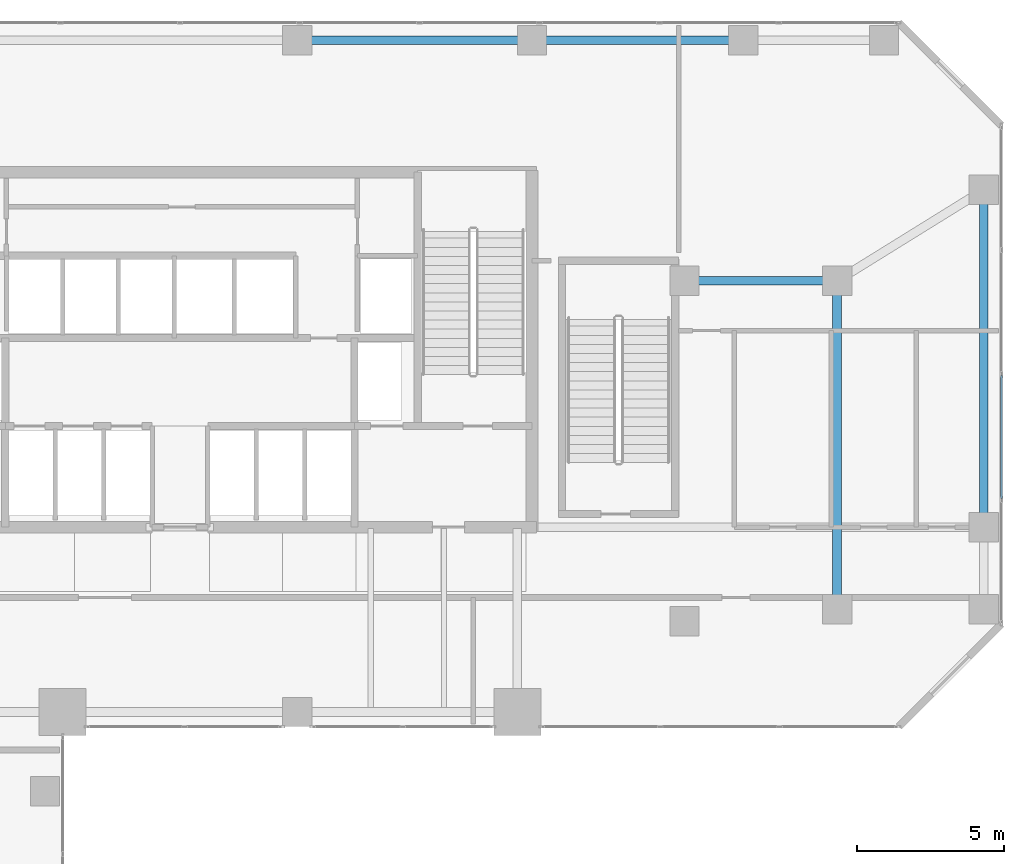
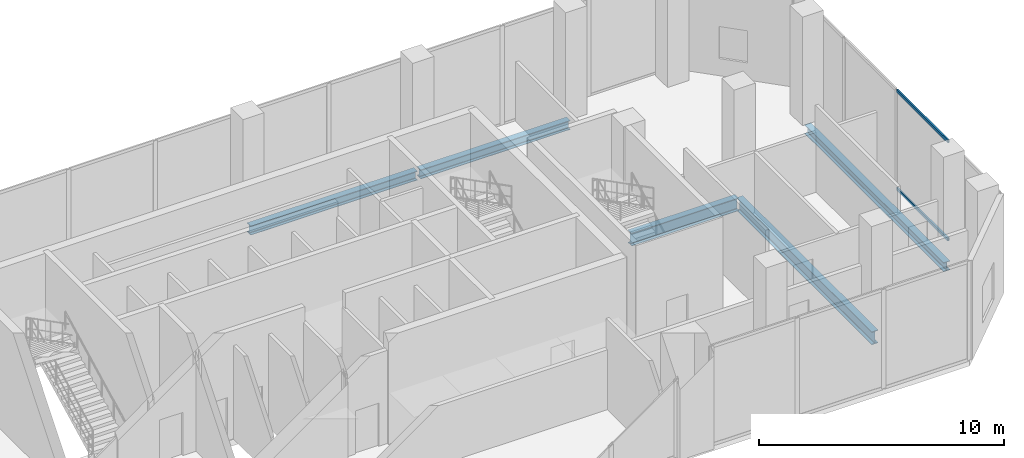
# One storey, part 16 of 24: 5 beams, 2 members, 1 element without a shape of its own.
"""IFC4 building model written with IfcOpenShell, lengths in metres."""

from ifc_helpers import new_model, si_unit, direction, frame, origin, origin_2d, place, context, subcontext, project, spatial, hollow_rectangle, i_section, extrude, material, layer, layer_set, material_profile, profile_set, type_object, element, aggregate, save


model = new_model("IFC4")

# Units and contexts
model_context = context("Model", 3, precision=1e-05, world=origin(), true_north=direction((0.0, 1.0)))
body_context = subcontext(model_context, "Body", "Model", "MODEL_VIEW")
ifc_project = project(units=[si_unit("LENGTHUNIT", "METRE"), si_unit("AREAUNIT", "SQUARE_METRE"), si_unit("VOLUMEUNIT", "CUBIC_METRE"), si_unit("PLANEANGLEUNIT", "RADIAN"), si_unit("MASSUNIT", "GRAM", prefix="KILO")], contexts=[model_context])

# Site, building, storey
site_placement = place(None, origin())
site = spatial("IfcSite", under=ifc_project, at=site_placement, CompositionType="ELEMENT")
building_placement = place(site_placement, origin())
building = spatial("IfcBuilding", under=site, at=building_placement, Name="Catumbela Crestline Tower", CompositionType="ELEMENT")
storey_placement = place(building_placement, frame((0.0, 0.0, 15.9)))
storey = spatial("IfcBuildingStorey", under=building, at=storey_placement, Name="L03", CompositionType="ELEMENT", Elevation=15.9)

# Beams
ifc_material_1 = material(Name="Structural steel S355J2", Category="steel")
ifc_material_profile_1 = material_profile(ifc_material_1, i_section(OverallWidth=0.3, OverallDepth=0.64, WebThickness=0.0135, FlangeThickness=0.026, FilletRadius=0.027, at=origin_2d()), Name="HEA 650")
ifc_profile_set_1 = profile_set([ifc_material_profile_1], Name="Structural steel S355J2")
beam_type_1 = type_object("IfcBeamType", Name="BG-HEA650", PredefinedType="BEAM", material=ifc_profile_set_1)
beam_1_placement = place(storey_placement, frame((45.28, 39.2, -0.64), z_axis=(1.0, 0.0, 0.0), x_axis=(0.0, 1.0, 0.0)))
element("IfcBeam", 1, at=beam_1_placement, inside=storey, type_object=beam_type_1, Name="L03 Beam BM-L03-N15", PredefinedType="BEAM", context=body_context, shape_type="SweptSolid", body=[
    extrude(i_section(OverallWidth=0.3, OverallDepth=0.64, WebThickness=0.0135, FlangeThickness=0.026, FilletRadius=0.027, at=origin_2d()), origin(), (0.0, 0.0, 1.0), 5.04),
])
beam_2_placement = place(storey_placement, frame((50.4, 28.08, -0.64), z_axis=(0.0, 1.0, 0.0), x_axis=(-1.0, 0.0, 0.0)))
element("IfcBeam", 2, at=beam_2_placement, inside=storey, type_object=beam_type_1, Name="L03 Beam BM-L03-SN34", PredefinedType="BEAM", context=body_context, shape_type="SweptSolid", body=[
    extrude(i_section(OverallWidth=0.3, OverallDepth=0.64, WebThickness=0.0135, FlangeThickness=0.026, FilletRadius=0.027, at=origin_2d()), origin(), (0.0, 0.0, 1.0), 11.04),
])
ifc_material_profile_2 = material_profile(ifc_material_1, i_section(OverallWidth=0.3, OverallDepth=0.45, WebThickness=0.014, FlangeThickness=0.026, FilletRadius=0.027, at=origin_2d()), Name="HEB 450")
ifc_profile_set_2 = profile_set([ifc_material_profile_2], Name="Structural steel S355J2")
beam_type_2 = type_object("IfcBeamType", Name="BS-HEB450", PredefinedType="SPANDREL", material=ifc_profile_set_2)
beam_3_placement = place(storey_placement, frame((32.08, 47.4, -0.545), z_axis=(1.0, 0.0, 0.0), x_axis=(0.0, 1.0, 0.0)))
element("IfcBeam", 3, at=beam_3_placement, inside=storey, type_object=beam_type_2, Name="L03 Spandrel SP-L03-NF20", PredefinedType="SPANDREL", context=body_context, shape_type="SweptSolid", body=[
    extrude(i_section(OverallWidth=0.3, OverallDepth=0.45, WebThickness=0.014, FlangeThickness=0.026, FilletRadius=0.027, at=origin_2d()), origin(), (0.0, 0.0, 1.0), 7.84),
])
beam_4_placement = place(storey_placement, frame((40.08, 47.4, -0.545), z_axis=(1.0, 0.0, 0.0), x_axis=(0.0, 1.0, 0.0)))
element("IfcBeam", 4, at=beam_4_placement, inside=storey, type_object=beam_type_2, Name="L03 Spandrel SP-L03-NF21", PredefinedType="SPANDREL", context=body_context, shape_type="SweptSolid", body=[
    extrude(i_section(OverallWidth=0.3, OverallDepth=0.45, WebThickness=0.014, FlangeThickness=0.026, FilletRadius=0.027, at=origin_2d()), origin(), (0.0, 0.0, 1.0), 7.04),
])
beam_5_placement = place(storey_placement, frame((55.4, 30.88, -0.545), z_axis=(0.0, 1.0, 0.0), x_axis=(-1.0, 0.0, 0.0)))
element("IfcBeam", 5, at=beam_5_placement, inside=storey, type_object=beam_type_2, Name="L03 Spandrel SP-L03-SN36", PredefinedType="SPANDREL", context=body_context, shape_type="SweptSolid", body=[
    extrude(i_section(OverallWidth=0.3, OverallDepth=0.45, WebThickness=0.014, FlangeThickness=0.026, FilletRadius=0.027, at=origin_2d()), origin(), (0.0, 0.0, 1.0), 11.34),
])

# Curtain wall, members
ifc_material_2 = material(Name="Aluminium alloy AW-6060-T66", Category="aluminium")
ifc_layer = layer(ifc_material_2, 0.18, Name="Aluminium alloy AW-6060-T66")
ifc_layer_set = layer_set([ifc_layer], Name="Aluminium alloy AW-6060-T66")
curtain_wall_type = type_object("IfcCurtainWallType", Name="CWS-POD", PredefinedType="USERDEFINED", material=ifc_layer_set)
curtain_wall_placement = place(storey_placement, origin())
curtain_wall = element("IfcCurtainWall", 6, at=curtain_wall_placement, inside=storey, type_object=curtain_wall_type, Name="L03 Stick Curtain Wall CW-L03-E5S1", ObjectType="STICK", PredefinedType="USERDEFINED")
ifc_material_profile_3 = material_profile(ifc_material_2, hollow_rectangle(XDim=0.075, YDim=0.15, WallThickness=0.0045, at=origin_2d()), Name="ALU 150x75x4.5")
ifc_profile_set_3 = profile_set([ifc_material_profile_3], Name="Aluminium alloy AW-6060-T66")
member_type = type_object("IfcMemberType", Name="TRN-150X75", PredefinedType="USERDEFINED", material=ifc_profile_set_3)
member_1_placement = place(storey_placement, frame((56.0, 31.7825, 0.03), z_axis=(0.0, 1.0, 0.0), x_axis=(-1.0, 0.0, 0.0)))
member_1 = element("IfcMember", 7, at=member_1_placement, type_object=member_type, Name="CWS-POD transom 2.1", ObjectType="TRANSOM", PredefinedType="USERDEFINED", context=body_context, shape_type="SweptSolid", body=[
    extrude(hollow_rectangle(XDim=0.075, YDim=0.15, WallThickness=0.0045, at=origin_2d()), origin(), (0.0, 0.0, 1.0), 4.185),
])
member_2_placement = place(storey_placement, frame((56.0, 31.7825, 4.91), z_axis=(0.0, 1.0, 0.0), x_axis=(-1.0, 0.0, 0.0)))
member_2 = element("IfcMember", 8, at=member_2_placement, type_object=member_type, Name="CWS-POD transom 2.2", ObjectType="TRANSOM", PredefinedType="USERDEFINED", context=body_context, shape_type="SweptSolid", body=[
    extrude(hollow_rectangle(XDim=0.075, YDim=0.15, WallThickness=0.0045, at=origin_2d()), origin(), (0.0, 0.0, 1.0), 4.185),
])
aggregate(curtain_wall, [member_1, member_2])

save(model, "model.ifc")
